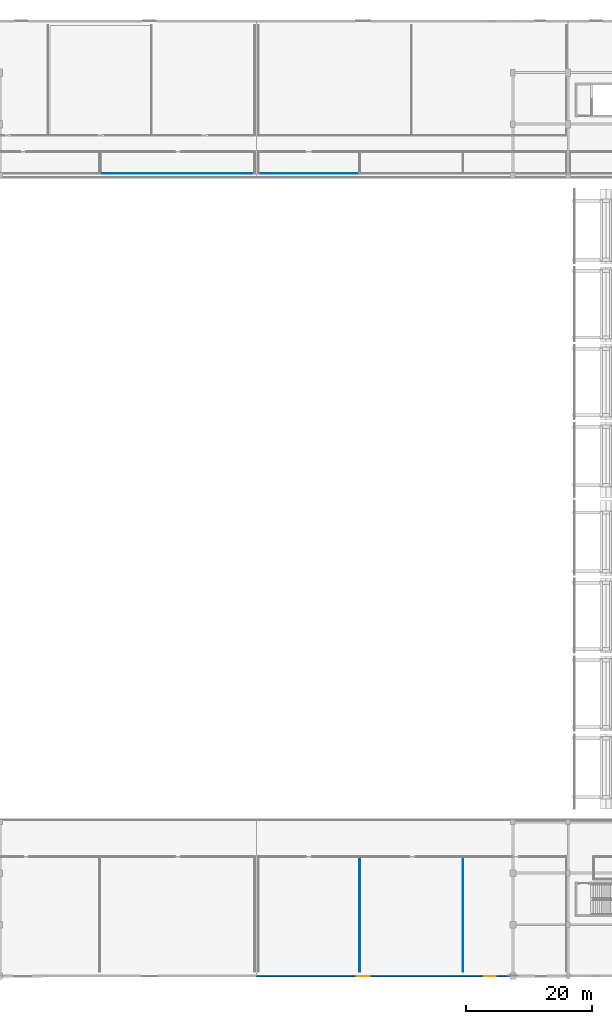
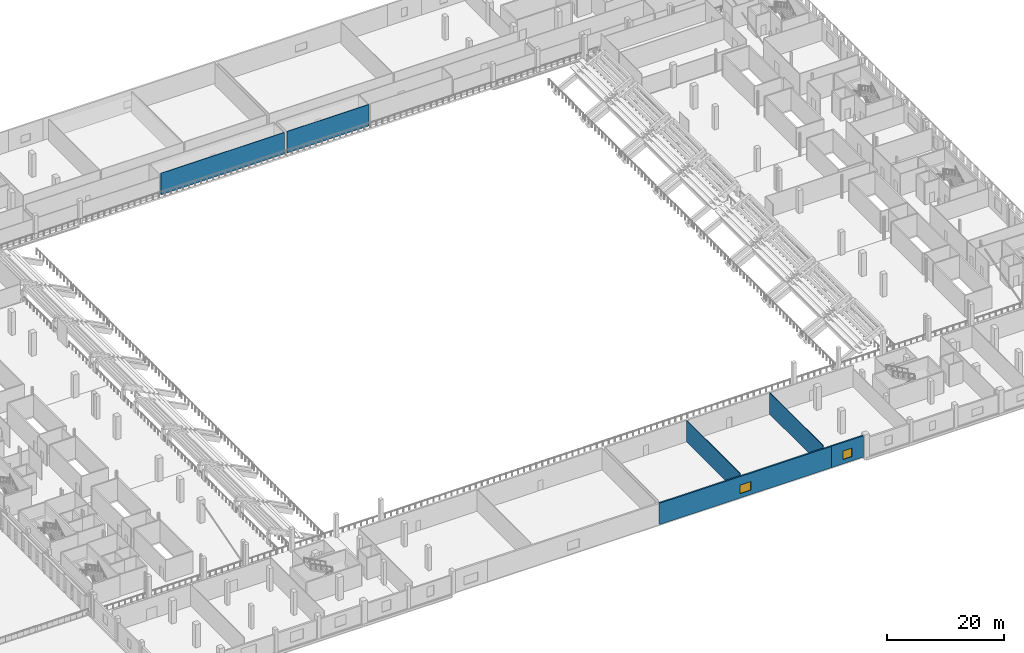
# One storey, part 35 of 74: 6 walls, 2 windows, 2 openings.
"""IFC4 building model written with IfcOpenShell, lengths in metres."""

from ifc_helpers import new_model, si_unit, direction, frame, frame_2d, origin, place, context, subcontext, project, spatial, rectangle, extrude, material, layer, layer_set, type_object, element, fill, save


model = new_model("IFC4")

# Units and contexts
model_context = context("Model", 3, precision=1e-05, world=origin(), true_north=direction((0.0, 1.0)))
body_context = subcontext(model_context, "Body", "Model", "MODEL_VIEW")
ifc_project = project(units=[si_unit("LENGTHUNIT", "METRE"), si_unit("AREAUNIT", "SQUARE_METRE"), si_unit("VOLUMEUNIT", "CUBIC_METRE"), si_unit("PLANEANGLEUNIT", "RADIAN"), si_unit("MASSUNIT", "GRAM", prefix="KILO")], contexts=[model_context])

# Site, building, storey
site_placement = place(None, origin())
site = spatial("IfcSite", under=ifc_project, at=site_placement, CompositionType="ELEMENT")
building_placement = place(site_placement, origin())
building = spatial("IfcBuilding", under=site, at=building_placement, Name="Koshinbarg Plaza Stadium", CompositionType="ELEMENT")
storey_placement = place(building_placement, frame((0.0, 0.0, 15.0)))
storey = spatial("IfcBuildingStorey", under=building, at=storey_placement, Name="L03", CompositionType="ELEMENT", Elevation=15.0)

# Wall, opening, window
ifc_material_1 = material(Name="Terracotta-ochre mineral plaster insulated wall", Category="masonry")
ifc_layer_1 = layer(ifc_material_1, 0.280029296875)
ifc_layer_set_1 = layer_set([ifc_layer_1], Name="Terracotta-ochre mineral plaster insulated wall")
wall_type_1 = type_object("IfcWallType", Name="WL-EXT-280", PredefinedType="SOLIDWALL", material=ifc_layer_set_1)
wall_1_placement = place(storey_placement, frame((162.304931640625, 0.0, 0.0), z_axis=(0.0, 0.0, 1.0), x_axis=(-1.0, 0.0, 0.0)))
wall_1 = element("IfcWall", 1, at=wall_1_placement, inside=storey, type_object=wall_type_1, Name="L03 exterior envelope wall EWL-L03-0192", PredefinedType="SOLIDWALL", context=body_context, shape_type="SweptSolid", body=[
    extrude(rectangle(XDim=6.304931640625, YDim=0.280029296875, at=frame_2d((3.15234375, 0.0))), origin(), (0.0, 0.0, 1.0), 4.47998046875),
])
opening_1_placement = place(wall_1_placement, frame((2.25244140625, 0.0, 0.89990234375)))
opening_1 = element("IfcOpeningElement", 2, at=opening_1_placement, cuts=wall_1, Name="Opening WN09", PredefinedType="OPENING", context=body_context, shape_type="SweptSolid", body=[
    extrude(rectangle(XDim=1.800048828125, YDim=1.800048828125, at=frame_2d((0.89990234375, 0.89990234375))), frame((0.0, 0.14990234375, 0.0), z_axis=(0.0, -1.0, 0.0), x_axis=(1.0, 0.0, 0.0)), (0.0, 0.0, 1.0), 0.300048828125),
])
ifc_material_2 = material(Name="Solar-control double glazing in thermally broken aluminium frame", Category="aluminium")
window_type_1 = type_object("IfcWindowType", Name="WN-FAC-09", PartitioningType="DOUBLE_PANEL_VERTICAL", PredefinedType="WINDOW", material=ifc_material_2)
window_1_placement = place(opening_1_placement, origin())
window_1 = element("IfcWindow", 3, at=window_1_placement, inside=storey, type_object=window_type_1, Name="L03 facade window 0125", OverallHeight=1.800048828125, OverallWidth=1.800048828125, PartitioningType="SINGLE_PANEL", PredefinedType="WINDOW", context=body_context, shape_type="SweptSolid", body=[
    extrude(rectangle(XDim=1.800048828125, YDim=1.800048828125, at=frame_2d((0.89990234375, 0.89990234375))), frame((0.0, 0.030029296875, 0.0), z_axis=(0.0, -1.0, 0.0), x_axis=(1.0, 0.0, 0.0)), (0.0, 0.0, 1.0), 0.06005859375),
])
fill(opening_1, window_1)

ifc_material_3 = material(Name="Off-white mineral plaster insulated wall", Category="masonry")
ifc_layer_2 = layer(ifc_material_3, 0.300048828125)
ifc_layer_set_2 = layer_set([ifc_layer_2], Name="Off-white mineral plaster insulated wall")
wall_type_2 = type_object("IfcWallType", Name="WL-EXT-300", PredefinedType="SOLIDWALL", material=ifc_layer_set_2)
wall_2_placement = place(storey_placement, frame((156.0, 0.0, 0.0), z_axis=(0.0, 0.0, 1.0), x_axis=(-1.0, 0.0, 0.0)))
wall_2 = element("IfcWall", 4, at=wall_2_placement, inside=storey, type_object=wall_type_2, Name="L03 exterior envelope wall EWL-L03-0193", PredefinedType="SOLIDWALL", context=body_context, shape_type="SweptSolid", body=[
    extrude(rectangle(XDim=34.0, YDim=0.300048828125, at=frame_2d((17.0, 0.0))), origin(), (0.0, 0.0, 1.0), 4.47998046875),
])
opening_2_placement = place(wall_2_placement, frame((15.949951171875, 0.0, 0.89990234375)))
opening_2 = element("IfcOpeningElement", 5, at=opening_2_placement, cuts=wall_2, Name="Opening WN10", PredefinedType="OPENING", context=body_context, shape_type="SweptSolid", body=[
    extrude(rectangle(XDim=2.10009765625, YDim=1.800048828125, at=frame_2d((1.050048828125, 0.89990234375))), frame((0.0, 0.159912109375, 0.0), z_axis=(0.0, -1.0, 0.0), x_axis=(1.0, 0.0, 0.0)), (0.0, 0.0, 1.0), 0.320068359375),
])
window_type_2 = type_object("IfcWindowType", Name="WN-FAC-10", PartitioningType="DOUBLE_PANEL_VERTICAL", PredefinedType="WINDOW", material=ifc_material_2)
window_2_placement = place(opening_2_placement, origin())
window_2 = element("IfcWindow", 6, at=window_2_placement, inside=storey, type_object=window_type_2, Name="L03 facade window 0126", OverallHeight=1.800048828125, OverallWidth=2.10009765625, PartitioningType="SINGLE_PANEL", PredefinedType="WINDOW", context=body_context, shape_type="SweptSolid", body=[
    extrude(rectangle(XDim=2.10009765625, YDim=1.800048828125, at=frame_2d((1.050048828125, 0.89990234375))), frame((0.0, 0.030029296875, 0.0), z_axis=(0.0, -1.0, 0.0), x_axis=(1.0, 0.0, 0.0)), (0.0, 0.0, 1.0), 0.06005859375),
])
fill(opening_2, window_2)

# Walls
ifc_material_4 = material(Name="Gypsum board metal-stud acoustic partition")
ifc_layer_3 = layer(ifc_material_4, 0.1201171875)
ifc_layer_set_3 = layer_set([ifc_layer_3], Name="Gypsum board metal-stud acoustic partition")
wall_type_3 = type_object("IfcWallType", Name="WL-PART-120", PredefinedType="PARTITIONING", material=ifc_layer_set_3)
wall_3_placement = place(storey_placement, frame((97.35009765625, 127.7451171875, 0.0), z_axis=(0.0, 0.0, 1.0), x_axis=(1.0, 0.0, 0.0)))
element("IfcWall", 7, at=wall_3_placement, inside=storey, type_object=wall_type_3, Name="L03 interior partition L03-102-south IWL-L03-2017", PredefinedType="PARTITIONING", context=body_context, shape_type="SweptSolid", body=[
    extrude(rectangle(XDim=24.3798828125, YDim=0.1201171875, at=frame_2d((12.18994140625, 0.0))), origin(), (0.0, 0.0, 1.0), 4.5),
])
wall_4_placement = place(storey_placement, frame((122.27001953125, 127.7451171875, 0.0), z_axis=(0.0, 0.0, 1.0), x_axis=(1.0, 0.0, 0.0)))
element("IfcWall", 8, at=wall_4_placement, inside=storey, type_object=wall_type_3, Name="L03 interior partition L03-106-south IWL-L03-2027", PredefinedType="PARTITIONING", context=body_context, shape_type="SweptSolid", body=[
    extrude(rectangle(XDim=16.1533203125, YDim=0.1201171875, at=frame_2d((8.07666015625, 0.0))), origin(), (0.0, 0.0, 1.0), 4.5),
])
for number, where, z_axis, x_axis, name in (
    (9, (138.42333984375, 0.699951171875, 0.0), (0.0, 0.0, 1.0), (0.0, 1.0, 0.0), "L03 interior partition L03-120-east IWL-L03-2065"),
    (10, (154.876708984375, 0.699951171875, 0.0), (0.0, 0.0, 1.0), (0.0, 1.0, 0.0), "L03 interior partition L03-121-east IWL-L03-2068"),
):
    element("IfcWall", number, at=place(storey_placement, frame(where, z_axis=z_axis, x_axis=x_axis)), inside=storey, type_object=wall_type_3, Name=name, PredefinedType="PARTITIONING", context=body_context, shape_type="SweptSolid", body=[
        extrude(rectangle(XDim=18.300048828125, YDim=0.1201171875, at=frame_2d((9.14990234375, 0.0))), origin(), (0.0, 0.0, 1.0), 4.5),
    ])

save(model, "model.ifc")
